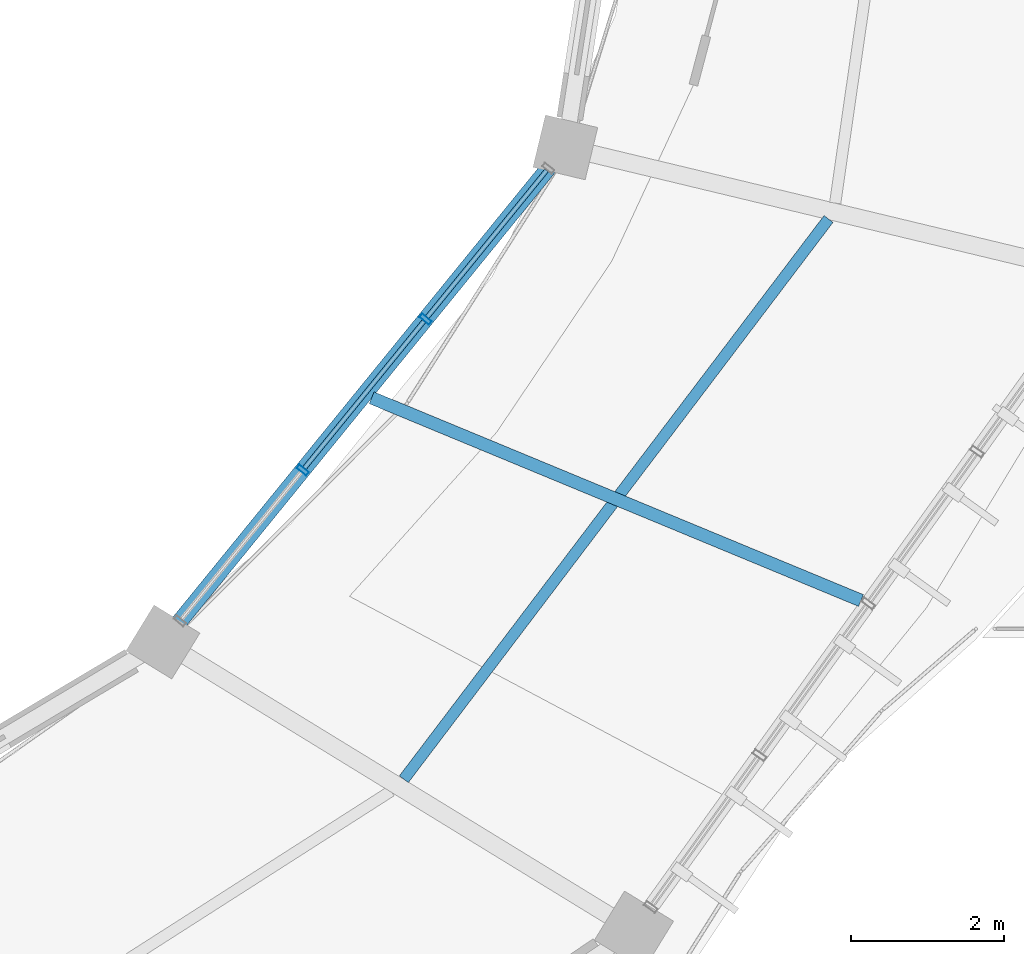
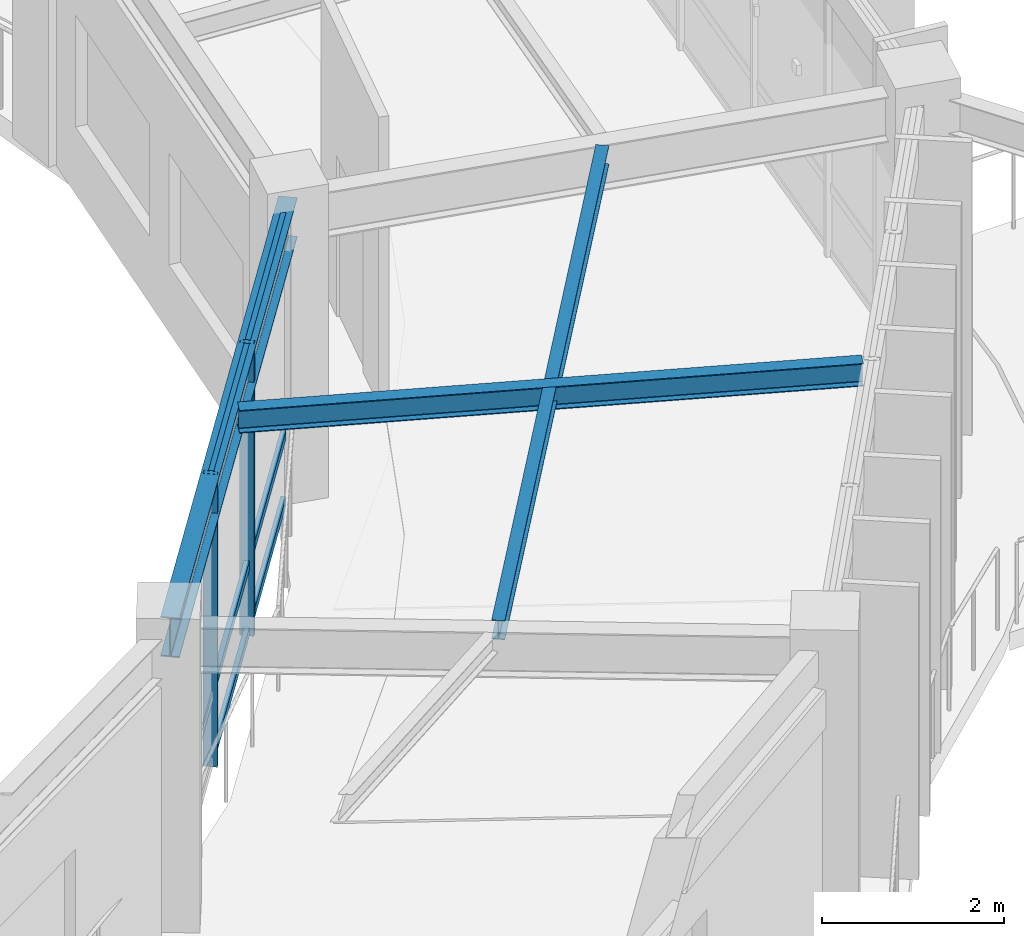
# One storey, part 96 of 152: 8 members, 3 beams, 1 element without a shape of its own.
"""IFC4 building model written with IfcOpenShell, lengths in metres."""

from ifc_helpers import new_model, si_unit, direction, frame, origin, origin_2d, place, context, subcontext, project, spatial, hollow_rectangle, i_section, extrude, material, material_profile, profile_set, type_object, element, aggregate, save


model = new_model("IFC4")

# Units and contexts
model_context = context("Model", 3, precision=1e-05, world=origin(), true_north=direction((0.0, 1.0)))
body_context = subcontext(model_context, "Body", "Model", "MODEL_VIEW")
ifc_project = project(units=[si_unit("LENGTHUNIT", "METRE"), si_unit("AREAUNIT", "SQUARE_METRE"), si_unit("VOLUMEUNIT", "CUBIC_METRE"), si_unit("PLANEANGLEUNIT", "RADIAN"), si_unit("MASSUNIT", "GRAM", prefix="KILO"), si_unit("THERMODYNAMICTEMPERATUREUNIT", "KELVIN"), si_unit("POWERUNIT", "WATT")], contexts=[model_context])

# Site, building, storey
site_placement = place(None, origin())
site = spatial("IfcSite", under=ifc_project, at=site_placement, CompositionType="ELEMENT")
building_placement = place(site_placement, origin())
building = spatial("IfcBuilding", under=site, at=building_placement, Name="Darbajah Civic Hall", CompositionType="ELEMENT")
storey_placement = place(building_placement, frame((0.0, 0.0, 5.39990234375)))
storey = spatial("IfcBuildingStorey", under=building, at=storey_placement, Name="L01", CompositionType="ELEMENT", Elevation=5.39990234375)

# Curtain wall, members
ifc_material_1 = material(Name="Anodised Bronze Aluminium and Low-E Glazing", Category="aluminium")
curtain_wall_type = type_object("IfcCurtainWallType", Name="Unitised Curtain Wall CW-35 7600x3900", PredefinedType="USERDEFINED", material=ifc_material_1)
curtain_wall_placement = place(storey_placement, origin())
curtain_wall = element("IfcCurtainWall", 1, at=curtain_wall_placement, inside=storey, type_object=curtain_wall_type, Name="L01 unitised curtain wall CW-V1I-L01-18", ObjectType="UNITISED CURTAIN WALL", PredefinedType="USERDEFINED")
ifc_material_2 = material(Name="Anodised Bronze Aluminium", Category="aluminium")
ifc_material_profile_1 = material_profile(ifc_material_2, hollow_rectangle(XDim=0.06005859375, YDim=0.159912109375, WallThickness=0.00341796875, at=origin_2d()), Name="ALU MULLION 60x160")
ifc_profile_set_1 = profile_set([ifc_material_profile_1], Name="Anodised Bronze Aluminium")
member_type_1 = type_object("IfcMemberType", Name="ALU MULLION 60x160", PredefinedType="MULLION", material=ifc_profile_set_1)
member_1_placement = place(storey_placement, frame((128.267578125, 80.387939453125, 0.0), z_axis=(0.0, 0.0, 1.0), x_axis=(0.63108205791, 0.775716079622, 0.0)))
member_1 = element("IfcMember", 2, at=member_1_placement, type_object=member_type_1, Name="CW-V1I-L01-18 mullion 2", PredefinedType="MULLION", context=body_context, shape_type="SweptSolid", body=[
    extrude(hollow_rectangle(XDim=0.06005859375, YDim=0.159912109375, WallThickness=0.00341796875, at=origin_2d()), origin(), (0.0, 0.0, 1.0), 3.920166015625),
])
member_2_placement = place(storey_placement, frame((129.86767578125, 82.3544921875, 0.0), z_axis=(0.0, 0.0, 1.0), x_axis=(0.63108205791, 0.775716079622, 0.0)))
member_2 = element("IfcMember", 3, at=member_2_placement, type_object=member_type_1, Name="CW-V1I-L01-18 mullion 3", PredefinedType="MULLION", context=body_context, shape_type="SweptSolid", body=[
    extrude(hollow_rectangle(XDim=0.06005859375, YDim=0.159912109375, WallThickness=0.00341796875, at=origin_2d()), origin(), (0.0, 0.0, 1.0), 3.920166015625),
])
ifc_material_profile_2 = material_profile(ifc_material_2, hollow_rectangle(XDim=0.06005859375, YDim=0.1201171875, WallThickness=0.003173828125, at=origin_2d()), Name="ALU TRANSOM 60x120")
ifc_profile_set_2 = profile_set([ifc_material_profile_2], Name="Anodised Bronze Aluminium")
member_type_2 = type_object("IfcMemberType", Name="ALU TRANSOM 60x120", PredefinedType="USERDEFINED", material=ifc_profile_set_2)
member_3_placement = place(storey_placement, frame((128.289794921875, 80.4150390625, 0.06005859375), z_axis=(0.631110696539, 0.775692779851, 0.0), x_axis=(-0.775692779851, 0.631110696539, 0.0)))
member_3 = element("IfcMember", 4, at=member_3_placement, type_object=member_type_2, Name="CW-V1I-L01-18 transom 2.1", ObjectType="TRANSOM", PredefinedType="USERDEFINED", context=body_context, shape_type="SweptSolid", body=[
    extrude(hollow_rectangle(XDim=0.06005859375, YDim=0.1201171875, WallThickness=0.003173828125, at=origin_2d()), origin(), (0.0, 0.0, 1.0), 2.46533203125),
])
member_4_placement = place(storey_placement, frame((128.289794921875, 80.4150390625, 0.9501953125), z_axis=(0.631110696539, 0.775692779851, 0.0), x_axis=(-0.775692779851, 0.631110696539, 0.0)))
member_4 = element("IfcMember", 5, at=member_4_placement, type_object=member_type_2, Name="CW-V1I-L01-18 transom 2.2", ObjectType="TRANSOM", PredefinedType="USERDEFINED", context=body_context, shape_type="SweptSolid", body=[
    extrude(hollow_rectangle(XDim=0.06005859375, YDim=0.1201171875, WallThickness=0.003173828125, at=origin_2d()), origin(), (0.0, 0.0, 1.0), 2.46533203125),
])
member_5_placement = place(storey_placement, frame((128.289794921875, 80.4150390625, 3.860107421875), z_axis=(0.631110696539, 0.775692779851, 0.0), x_axis=(-0.775692779851, 0.631110696539, 0.0)))
member_5 = element("IfcMember", 6, at=member_5_placement, type_object=member_type_2, Name="CW-V1I-L01-18 transom 2.3", ObjectType="TRANSOM", PredefinedType="USERDEFINED", context=body_context, shape_type="SweptSolid", body=[
    extrude(hollow_rectangle(XDim=0.06005859375, YDim=0.1201171875, WallThickness=0.003173828125, at=origin_2d()), origin(), (0.0, 0.0, 1.0), 2.46533203125),
])
member_6_placement = place(storey_placement, frame((129.889892578125, 82.381591796875, 0.06005859375), z_axis=(0.631002627026, 0.775780693679, 0.0), x_axis=(-0.775780693679, 0.631002627026, 0.0)))
member_6 = element("IfcMember", 7, at=member_6_placement, type_object=member_type_2, Name="CW-V1I-L01-18 transom 3.1", ObjectType="TRANSOM", PredefinedType="USERDEFINED", context=body_context, shape_type="SweptSolid", body=[
    extrude(hollow_rectangle(XDim=0.06005859375, YDim=0.1201171875, WallThickness=0.003173828125, at=origin_2d()), origin(), (0.0, 0.0, 1.0), 2.46533203125),
])
member_7_placement = place(storey_placement, frame((129.889892578125, 82.381591796875, 0.9501953125), z_axis=(0.631002627026, 0.775780693679, 0.0), x_axis=(-0.775780693679, 0.631002627026, 0.0)))
member_7 = element("IfcMember", 8, at=member_7_placement, type_object=member_type_2, Name="CW-V1I-L01-18 transom 3.2", ObjectType="TRANSOM", PredefinedType="USERDEFINED", context=body_context, shape_type="SweptSolid", body=[
    extrude(hollow_rectangle(XDim=0.06005859375, YDim=0.1201171875, WallThickness=0.003173828125, at=origin_2d()), origin(), (0.0, 0.0, 1.0), 2.46533203125),
])
member_8_placement = place(storey_placement, frame((129.889892578125, 82.381591796875, 3.860107421875), z_axis=(0.631002627026, 0.775780693679, 0.0), x_axis=(-0.775780693679, 0.631002627026, 0.0)))
member_8 = element("IfcMember", 9, at=member_8_placement, type_object=member_type_2, Name="CW-V1I-L01-18 transom 3.3", ObjectType="TRANSOM", PredefinedType="USERDEFINED", context=body_context, shape_type="SweptSolid", body=[
    extrude(hollow_rectangle(XDim=0.06005859375, YDim=0.1201171875, WallThickness=0.003173828125, at=origin_2d()), origin(), (0.0, 0.0, 1.0), 2.46533203125),
])
aggregate(curtain_wall, [member_1, member_2, member_3, member_4, member_5, member_6, member_7, member_8])

# Beams
ifc_material_3 = material(Name="Steel S355JR", Category="steel")
ifc_material_profile_3 = material_profile(ifc_material_3, i_section(OverallWidth=0.146484375, OverallDepth=0.256103515625, WebThickness=0.00634765625, FlangeThickness=0.010986328125, FilletRadius=0.007568359375, at=origin_2d()), Name="UB 254x146x37")
ifc_profile_set_3 = profile_set([ifc_material_profile_3], Name="Steel S355JR")
beam_type_1 = type_object("IfcBeamType", Name="UB 254x146x37", PredefinedType="JOIST", material=ifc_profile_set_3)
beam_1_placement = place(storey_placement, frame((129.585205078125, 76.359619140625, 3.7919921875), z_axis=(0.604101851083, 0.796907117246, 0.0), x_axis=(-0.796907117246, 0.604101851083, 0.0)))
element("IfcBeam", 10, at=beam_1_placement, inside=storey, type_object=beam_type_1, Name="L01 beam SJ-254", PredefinedType="JOIST", context=body_context, shape_type="SweptSolid", body=[
    extrude(i_section(OverallWidth=0.146484375, OverallDepth=0.256103515625, WebThickness=0.00634765625, FlangeThickness=0.010986328125, FilletRadius=0.007568359375, at=origin_2d()), origin(), (0.0, 0.0, 1.0), 9.16259765625),
])
ifc_material_profile_4 = material_profile(ifc_material_3, i_section(OverallWidth=0.165771484375, OverallDepth=0.306640625, WebThickness=0.006591796875, FlangeThickness=0.01171875, FilletRadius=0.0087890625, at=origin_2d()), Name="UB 305x165x46")
ifc_profile_set_4 = profile_set([ifc_material_profile_4], Name="Steel S355JR")
beam_type_2 = type_object("IfcBeamType", Name="UB 305x165x46", PredefinedType="JOIST", material=ifc_profile_set_4)
beam_2_placement = place(storey_placement, frame((129.16552734375, 81.330810546875, 3.766845703125), z_axis=(0.923878471007, -0.382685995053, 0.0), x_axis=(0.382685995053, 0.923878471007, 0.0)))
element("IfcBeam", 11, at=beam_2_placement, inside=storey, type_object=beam_type_2, Name="L01 beam SJ-305", PredefinedType="JOIST", context=body_context, shape_type="SweptSolid", body=[
    extrude(i_section(OverallWidth=0.165771484375, OverallDepth=0.306640625, WebThickness=0.006591796875, FlangeThickness=0.01171875, FilletRadius=0.0087890625, at=origin_2d()), origin(), (0.0, 0.0, 1.0), 6.9033203125),
])
ifc_material_profile_5 = material_profile(ifc_material_3, i_section(OverallWidth=0.209228515625, OverallDepth=0.533203125, WebThickness=0.010009765625, FlangeThickness=0.015625, FilletRadius=0.0126953125, at=origin_2d()), Name="UB 533x210x92")
ifc_profile_set_5 = profile_set([ifc_material_profile_5], Name="Steel S355JR")
beam_type_3 = type_object("IfcBeamType", Name="UB 533x210x92", PredefinedType="BEAM", material=ifc_profile_set_5)
beam_3_placement = place(storey_placement, frame((126.49609375, 78.21044921875, 3.653564453125), z_axis=(0.631114659221, 0.775689555761, 0.0), x_axis=(-0.775689555761, 0.631114659221, 0.0)))
element("IfcBeam", 12, at=beam_3_placement, inside=storey, type_object=beam_type_3, Name="L01 beam SB-533", PredefinedType="BEAM", context=body_context, shape_type="SweptSolid", body=[
    extrude(i_section(OverallWidth=0.209228515625, OverallDepth=0.533203125, WebThickness=0.010009765625, FlangeThickness=0.015625, FilletRadius=0.0126953125, at=origin_2d()), origin(), (0.0, 0.0, 1.0), 8.149658203125),
])

save(model, "model.ifc")
